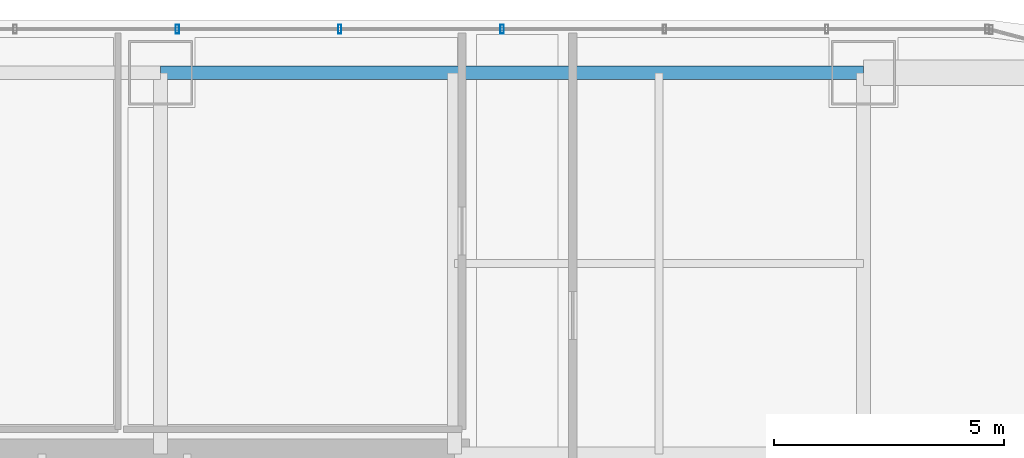
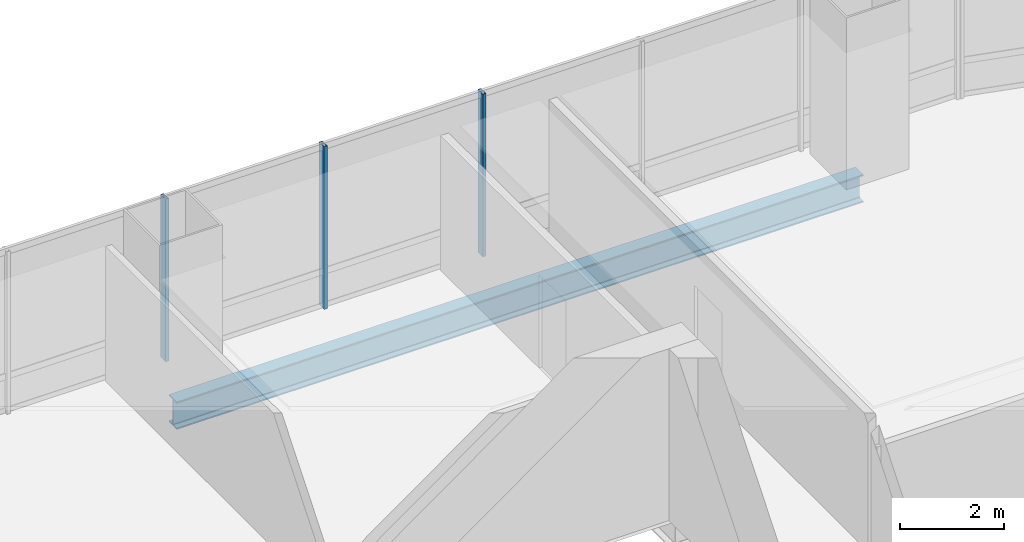
# One storey, part 24 of 36: 3 members, 1 beam, 1 element without a shape of its own.
"""IFC4 building model written with IfcOpenShell, lengths in metres."""

from ifc_helpers import new_model, si_unit, direction, frame, origin, origin_2d, place, context, subcontext, project, spatial, hollow_rectangle, i_section, extrude, material, material_profile, profile_set, type_object, element, aggregate, save


model = new_model("IFC4")

# Units and contexts
model_context = context("Model", 3, precision=1e-05, world=origin(), true_north=direction((0.0, 1.0)))
body_context = subcontext(model_context, "Body", "Model", "MODEL_VIEW")
ifc_project = project(units=[si_unit("LENGTHUNIT", "METRE"), si_unit("AREAUNIT", "SQUARE_METRE"), si_unit("VOLUMEUNIT", "CUBIC_METRE"), si_unit("PLANEANGLEUNIT", "RADIAN"), si_unit("MASSUNIT", "GRAM", prefix="KILO")], contexts=[model_context])

# Site, building, storey
site_placement = place(None, origin())
site = spatial("IfcSite", under=ifc_project, at=site_placement, CompositionType="ELEMENT")
building_placement = place(site_placement, origin())
building = spatial("IfcBuilding", under=site, at=building_placement, Name="Punatoya Terracotta Tower", CompositionType="ELEMENT")
storey_placement = place(building_placement, frame((0.0, 0.0, 208.64990234375)))
storey = spatial("IfcBuildingStorey", under=building, at=storey_placement, Name="L49", CompositionType="ELEMENT", Elevation=208.64990234375)

# Beam
ifc_material_1 = material(Name="Steel S355", Category="steel")
ifc_material_profile_1 = material_profile(ifc_material_1, i_section(OverallWidth=0.300048828125, OverallDepth=0.64990234375, WebThickness=0.01611328125, FlangeThickness=0.031005859375, FilletRadius=0.01806640625, at=origin_2d()))
ifc_profile_set_1 = profile_set([ifc_material_profile_1], Name="Steel S355")
beam_type = type_object("IfcBeamType", Name="BM-PRI-650", PredefinedType="BEAM", material=ifc_profile_set_1)
beam_placement = place(storey_placement, frame((3.800048828125, 17.5, -0.544921875), z_axis=(1.0, 0.0, 0.0), x_axis=(0.0, 1.0, 0.0)))
element("IfcBeam", 1, at=beam_placement, inside=storey, type_object=beam_type, Name="BM-L49-RG-N3", PredefinedType="BEAM", context=body_context, shape_type="SweptSolid", body=[
    extrude(i_section(OverallWidth=0.300048828125, OverallDepth=0.64990234375, WebThickness=0.01611328125, FlangeThickness=0.031005859375, FilletRadius=0.01806640625, at=origin_2d()), origin(), (0.0, 0.0, 1.0), 15.300048828125),
])

# Curtain wall, members
ifc_material_2 = material(Name="Aluminium 6063-T6 + Double Low-E Glass", Category="aluminium")
curtain_wall_type = type_object("IfcCurtainWallType", Name="CW-M2", PredefinedType="NOTDEFINED", material=ifc_material_2)
curtain_wall_placement = place(storey_placement, origin())
curtain_wall = element("IfcCurtainWall", 2, at=curtain_wall_placement, inside=storey, type_object=curtain_wall_type, Name="L49 Curtain Wall CW-L49-N09-1", PredefinedType="NOTDEFINED")
ifc_material_3 = material(Name="Aluminium 6063-T6", Category="aluminium")
ifc_material_profile_2 = material_profile(ifc_material_3, hollow_rectangle(XDim=0.072021484375, YDim=0.195068359375, WallThickness=0.00439453125, at=origin_2d()))
ifc_profile_set_2 = profile_set([ifc_material_profile_2], Name="Aluminium 6063-T6")
member_type = type_object("IfcMemberType", Name="CW-MUL-M2", PredefinedType="MULLION", material=ifc_profile_set_2)
member_1_placement = place(storey_placement, frame((11.235107421875, 18.449951171875, 0.0), z_axis=(0.0, 0.0, 1.0), x_axis=(1.0, 0.0, 0.0)))
member_1 = element("IfcMember", 3, at=member_1_placement, type_object=member_type, Name="CW-L49-N09-1 Mullion 03", PredefinedType="MULLION", context=body_context, shape_type="SweptSolid", body=[
    extrude(hollow_rectangle(XDim=0.072021484375, YDim=0.195068359375, WallThickness=0.00439453125, at=origin_2d()), origin(), (0.0, 0.0, 1.0), 3.830078125),
])
member_2_placement = place(storey_placement, frame((7.700927734375, 18.449951171875, 0.0), z_axis=(0.0, 0.0, 1.0), x_axis=(1.0, 0.0, 0.0)))
member_2 = element("IfcMember", 4, at=member_2_placement, type_object=member_type, Name="CW-L49-N09-1 Mullion 04", PredefinedType="MULLION", context=body_context, shape_type="SweptSolid", body=[
    extrude(hollow_rectangle(XDim=0.072021484375, YDim=0.195068359375, WallThickness=0.00439453125, at=origin_2d()), origin(), (0.0, 0.0, 1.0), 3.830078125),
])
member_3_placement = place(storey_placement, frame((4.1669921875, 18.449951171875, 0.0), z_axis=(0.0, 0.0, 1.0), x_axis=(1.0, 0.0, 0.0)))
member_3 = element("IfcMember", 5, at=member_3_placement, type_object=member_type, Name="CW-L49-N09-1 Mullion 05", PredefinedType="MULLION", context=body_context, shape_type="SweptSolid", body=[
    extrude(hollow_rectangle(XDim=0.072021484375, YDim=0.195068359375, WallThickness=0.00439453125, at=origin_2d()), origin(), (0.0, 0.0, 1.0), 3.830078125),
])
aggregate(curtain_wall, [member_1, member_2, member_3])

save(model, "model.ifc")
